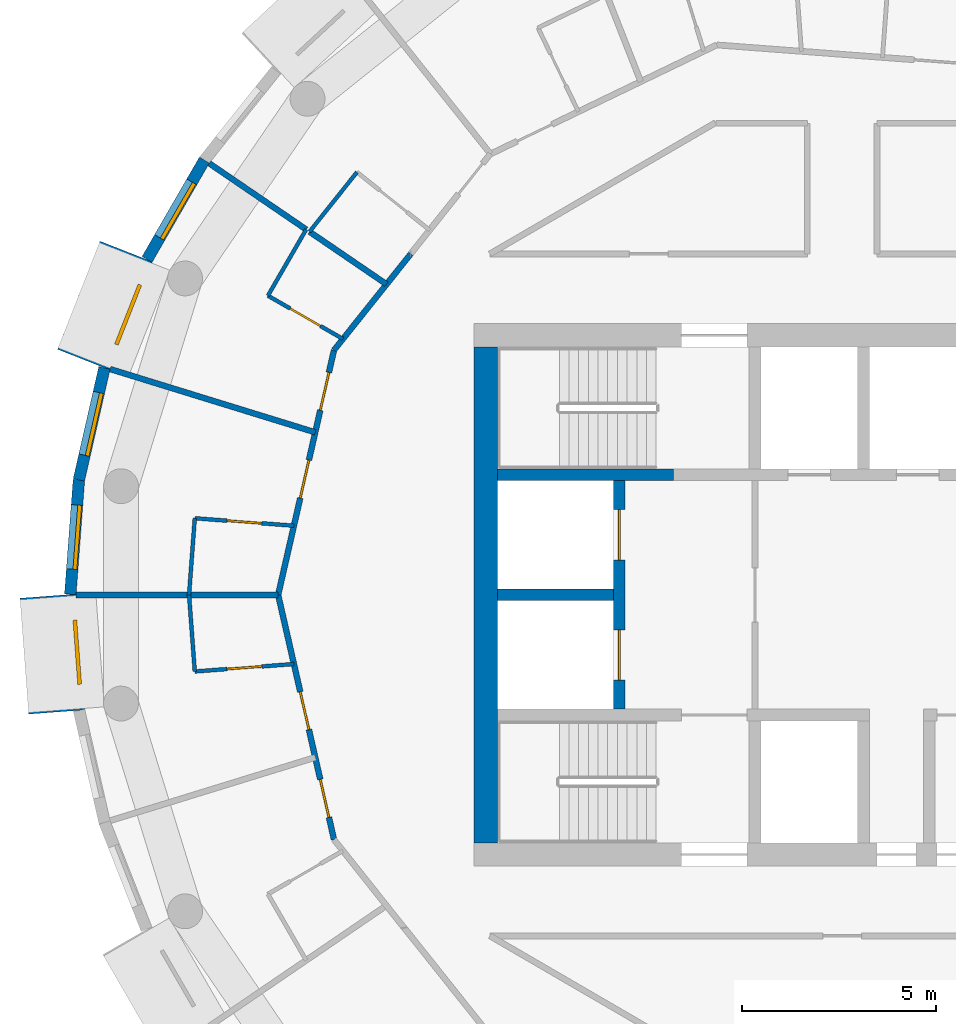
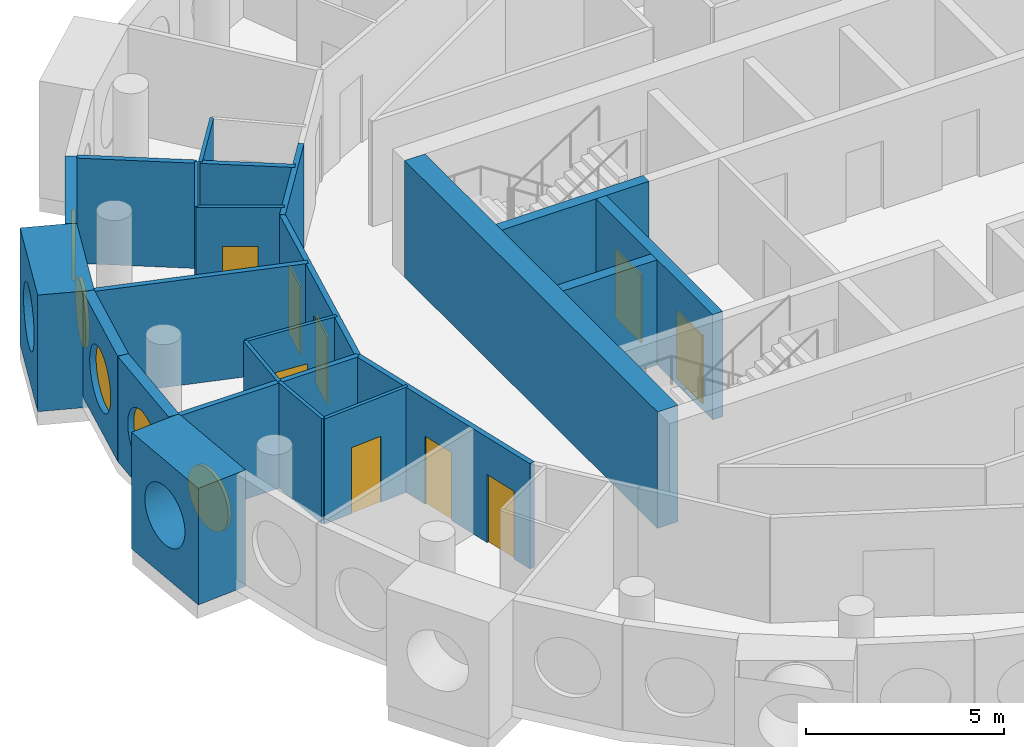
# One storey, part 6 of 13: 23 walls, 9 doors, 5 windows, 14 openings.
"""IFC4 building model written with IfcOpenShell, lengths in metres."""

from ifc_helpers import new_model, si_unit, direction, frame, frame_2d, origin, origin_2d, place, context, subcontext, project, spatial, rectangle, circle, extrude, material, layer, layer_set, type_object, element, fill, save


model = new_model("IFC4")

# Units and contexts
model_context = context("Model", 3, precision=1e-05, world=origin(), true_north=direction((0.0, 1.0)))
body_context = subcontext(model_context, "Body", "Model", "MODEL_VIEW")
ifc_project = project(units=[si_unit("LENGTHUNIT", "METRE"), si_unit("AREAUNIT", "SQUARE_METRE"), si_unit("VOLUMEUNIT", "CUBIC_METRE"), si_unit("PLANEANGLEUNIT", "RADIAN"), si_unit("MASSUNIT", "GRAM", prefix="KILO")], contexts=[model_context])

# Site, building, storey
site_placement = place(None, origin())
site = spatial("IfcSite", under=ifc_project, at=site_placement, CompositionType="ELEMENT")
building_placement = place(site_placement, origin())
building = spatial("IfcBuilding", under=site, at=building_placement, Name="Tracery Tower", CompositionType="ELEMENT")
storey_placement = place(building_placement, frame((0.0, 0.0, 309.0)))
storey = spatial("IfcBuildingStorey", under=building, at=storey_placement, Name="L80", CompositionType="ELEMENT", Elevation=309.0)

# Wall
ifc_material_1 = material(Name="Concrete C40/50", Category="concrete")
ifc_layer_1 = layer(ifc_material_1, 0.60009765625)
ifc_layer_set_1 = layer_set([ifc_layer_1], Name="Core wall 600 C40")
wall_type_1 = type_object("IfcWallType", Name="Core wall 600 C40", PredefinedType="SOLIDWALL", material=ifc_layer_set_1)
wall_1_placement = place(storey_placement, frame((-9.199951171875, -6.39990234375, 0.0), z_axis=(0.0, 0.0, 1.0), x_axis=(0.0, 1.0, 0.0)))
element("IfcWall", 1, at=wall_1_placement, inside=storey, type_object=wall_type_1, Name="L80 outer W", PredefinedType="SOLIDWALL", context=body_context, shape_type="SweptSolid", body=[
    extrude(rectangle(XDim=12.7998046875, YDim=0.60009765625, at=frame_2d((6.39990234375, 0.0))), origin(), (0.0, 0.0, 1.0), 3.60009765625),
])

# Wall, opening, window
ifc_material_2 = material(Name="Precast concrete C50/60", Category="concrete")
ifc_layer_2 = layer(ifc_material_2, 1.449951171875)
ifc_layer_set_2 = layer_set([ifc_layer_2], Name="Deep-set bay unit 3000 x 3600, slab edge 350")
wall_type_2 = type_object("IfcWallType", Name="Deep-set bay unit 3000 x 3600, slab edge 350", PredefinedType="ELEMENTEDWALL", material=ifc_layer_set_2)
wall_2_placement = place(storey_placement, frame((-18.47998046875, 8.8642578125, -0.35009765625), z_axis=(0.0, 0.0, 1.0), x_axis=(-0.36537792632, -0.93085926485, 0.0)))
wall_2 = element("IfcWall", 2, at=wall_2_placement, inside=storey, type_object=wall_type_2, Name="Deep-set bay unit 19 at L80", PredefinedType="ELEMENTEDWALL", context=body_context, shape_type="SweptSolid", body=[
    extrude(rectangle(XDim=3.000244140625, YDim=1.449951171875, at=frame_2d((1.5, 0.0))), origin(), (0.0, 0.0, 1.0), 3.60009765625),
])
opening_1_placement = place(wall_2_placement, frame((1.5, 0.0, 1.89990234375)))
opening_1 = element("IfcOpeningElement", 3, at=opening_1_placement, cuts=wall_2, Name="Opening WN1", PredefinedType="OPENING", context=body_context, shape_type="SweptSolid", body=[
    extrude(circle(Radius=0.9000244140625, at=origin_2d()), frame((0.0, 0.73486328125, 0.0), z_axis=(0.0, -1.0, 0.0), x_axis=(1.0, 0.0, 0.0)), (0.0, 0.0, 1.0), 1.469970703125),
])
ifc_material_3 = material(Name="Aluminium frame with tinted double glazing", Category="aluminium")
window_type = type_object("IfcWindowType", Name="Round window 1800", PartitioningType="SINGLE_PANEL", PredefinedType="WINDOW", material=ifc_material_3)
window_1_placement = place(opening_1_placement, origin())
window_1 = element("IfcWindow", 4, at=window_1_placement, inside=storey, type_object=window_type, Name="Round window 19 at L80", OverallHeight=1.800048828125, OverallWidth=1.800048828125, PartitioningType="SINGLE_PANEL", PredefinedType="WINDOW", context=body_context, shape_type="SweptSolid", body=[
    extrude(circle(Radius=0.9000244140625, at=origin_2d()), frame((0.0, 0.69482421875, 0.0), z_axis=(0.0, -1.0, 0.0), x_axis=(1.0, 0.0, 0.0)), (0.0, 0.0, 1.0), 0.10009765625),
])
fill(opening_1, window_1)

wall_3_placement = place(storey_placement, frame((-20.49609375, -0.03173828125, -0.35009765625), z_axis=(0.0, 0.0, 1.0), x_axis=(0.074785902127, -0.997199613339, 0.0)))
wall_3 = element("IfcWall", 5, at=wall_3_placement, inside=storey, type_object=wall_type_2, Name="Deep-set bay unit 22 at L80", PredefinedType="ELEMENTEDWALL", context=body_context, shape_type="SweptSolid", body=[
    extrude(rectangle(XDim=3.0, YDim=1.449951171875, at=frame_2d((1.5, 0.0))), origin(), (0.0, 0.0, 1.0), 3.60009765625),
])
opening_2_placement = place(wall_3_placement, frame((1.5, 0.0, 1.89990234375)))
opening_2 = element("IfcOpeningElement", 6, at=opening_2_placement, cuts=wall_3, Name="Opening WN1", PredefinedType="OPENING", context=body_context, shape_type="SweptSolid", body=[
    extrude(circle(Radius=0.9000244140625, at=origin_2d()), frame((0.0, 0.73486328125, 0.0), z_axis=(0.0, -1.0, 0.0), x_axis=(1.0, 0.0, 0.0)), (0.0, 0.0, 1.0), 1.469970703125),
])
window_2_placement = place(opening_2_placement, origin())
window_2 = element("IfcWindow", 7, at=window_2_placement, inside=storey, type_object=window_type, Name="Round window 22 at L80", OverallHeight=1.800048828125, OverallWidth=1.800048828125, PartitioningType="SINGLE_PANEL", PredefinedType="WINDOW", context=body_context, shape_type="SweptSolid", body=[
    extrude(circle(Radius=0.9000244140625, at=origin_2d()), frame((0.0, 0.69482421875, 0.0), z_axis=(0.0, -1.0, 0.0), x_axis=(1.0, 0.0, 0.0)), (0.0, 0.0, 1.0), 0.10009765625),
])
fill(opening_2, window_2)

ifc_material_4 = material(Name="Precast concrete C50/60", Category="concrete")
ifc_layer_3 = layer(ifc_material_4, 0.300048828125)
ifc_layer_set_3 = layer_set([ifc_layer_3], Name="Facade panel 3000 x 3250")
wall_type_3 = type_object("IfcWallType", Name="Facade panel 3000 x 3250", PredefinedType="SOLIDWALL", material=ifc_layer_set_3)
wall_4_placement = place(storey_placement, frame((-16.460205078125, 11.222412109375, 0.0), z_axis=(0.0, 0.0, 1.0), x_axis=(-0.499950756475, -0.86605383268, 0.0)))
wall_4 = element("IfcWall", 8, at=wall_4_placement, inside=storey, type_object=wall_type_3, Name="Facade panel 18 at L80", PredefinedType="SOLIDWALL", context=body_context, shape_type="SweptSolid", body=[
    extrude(rectangle(XDim=2.962158203125, YDim=0.300048828125, at=frame_2d((1.48095703125, 0.0))), origin(), (0.0, 0.0, 1.0), 3.25),
])
opening_3_placement = place(wall_4_placement, frame((1.48095703125, 0.0, 1.5498046875)))
opening_3 = element("IfcOpeningElement", 9, at=opening_3_placement, cuts=wall_4, Name="Opening WN1", PredefinedType="OPENING", context=body_context, shape_type="SweptSolid", body=[
    extrude(circle(Radius=0.9000244140625, at=origin_2d()), frame((0.0, 0.159912109375, 0.0), z_axis=(0.0, -1.0, 0.0), x_axis=(1.0, 0.0, 0.0)), (0.0, 0.0, 1.0), 0.320068359375),
])
window_3_placement = place(opening_3_placement, origin())
window_3 = element("IfcWindow", 10, at=window_3_placement, inside=storey, type_object=window_type, Name="Round window 18 at L80", OverallHeight=1.800048828125, OverallWidth=1.800048828125, PartitioningType="SINGLE_PANEL", PredefinedType="WINDOW", context=body_context, shape_type="SweptSolid", body=[
    extrude(circle(Radius=0.9000244140625, at=origin_2d()), frame((0.0, 0.1201171875, 0.0), z_axis=(0.0, -1.0, 0.0), x_axis=(1.0, 0.0, 0.0)), (0.0, 0.0, 1.0), 0.10009765625),
])
fill(opening_3, window_3)

wall_5_placement = place(storey_placement, frame((-19.0400390625, 5.857177734375, 0.0), z_axis=(0.0, 0.0, 1.0), x_axis=(-0.222529389789, -0.974925982155, 0.0)))
wall_5 = element("IfcWall", 11, at=wall_5_placement, inside=storey, type_object=wall_type_3, Name="Facade panel 20 at L80", PredefinedType="SOLIDWALL", context=body_context, shape_type="SweptSolid", body=[
    extrude(rectangle(XDim=2.962158203125, YDim=0.300048828125, at=frame_2d((1.48095703125, 0.0))), origin(), (0.0, 0.0, 1.0), 3.25),
])
opening_4_placement = place(wall_5_placement, frame((1.48095703125, 0.0, 1.5498046875)))
opening_4 = element("IfcOpeningElement", 12, at=opening_4_placement, cuts=wall_5, Name="Opening WN1", PredefinedType="OPENING", context=body_context, shape_type="SweptSolid", body=[
    extrude(circle(Radius=0.9000244140625, at=origin_2d()), frame((0.0, 0.159912109375, 0.0), z_axis=(0.0, -1.0, 0.0), x_axis=(1.0, 0.0, 0.0)), (0.0, 0.0, 1.0), 0.320068359375),
])
window_4_placement = place(opening_4_placement, origin())
window_4 = element("IfcWindow", 13, at=window_4_placement, inside=storey, type_object=window_type, Name="Round window 20 at L80", OverallHeight=1.800048828125, OverallWidth=1.800048828125, PartitioningType="SINGLE_PANEL", PredefinedType="WINDOW", context=body_context, shape_type="SweptSolid", body=[
    extrude(circle(Radius=0.9000244140625, at=origin_2d()), frame((0.0, 0.1201171875, 0.0), z_axis=(0.0, -1.0, 0.0), x_axis=(1.0, 0.0, 0.0)), (0.0, 0.0, 1.0), 0.10009765625),
])
fill(opening_4, window_4)

wall_6_placement = place(storey_placement, frame((-19.69921875, 2.96923828125, 0.0), z_axis=(0.0, 0.0, 1.0), x_axis=(-0.07474897196, -0.997202382263, 0.0)))
wall_6 = element("IfcWall", 14, at=wall_6_placement, inside=storey, type_object=wall_type_3, Name="Facade panel 21 at L80", PredefinedType="SOLIDWALL", context=body_context, shape_type="SweptSolid", body=[
    extrude(rectangle(XDim=2.96240234375, YDim=0.300048828125, at=frame_2d((1.481201171875, 0.0))), origin(), (0.0, 0.0, 1.0), 3.25),
])
opening_5_placement = place(wall_6_placement, frame((1.48095703125, 0.0, 1.5498046875)))
opening_5 = element("IfcOpeningElement", 15, at=opening_5_placement, cuts=wall_6, Name="Opening WN1", PredefinedType="OPENING", context=body_context, shape_type="SweptSolid", body=[
    extrude(circle(Radius=0.9000244140625, at=origin_2d()), frame((0.0, 0.159912109375, 0.0), z_axis=(0.0, -1.0, 0.0), x_axis=(1.0, 0.0, 0.0)), (0.0, 0.0, 1.0), 0.320068359375),
])
window_5_placement = place(opening_5_placement, origin())
window_5 = element("IfcWindow", 16, at=window_5_placement, inside=storey, type_object=window_type, Name="Round window 21 at L80", OverallHeight=1.800048828125, OverallWidth=1.800048828125, PartitioningType="SINGLE_PANEL", PredefinedType="WINDOW", context=body_context, shape_type="SweptSolid", body=[
    extrude(circle(Radius=0.9000244140625, at=origin_2d()), frame((0.0, 0.1201171875, 0.0), z_axis=(0.0, -1.0, 0.0), x_axis=(1.0, 0.0, 0.0)), (0.0, 0.0, 1.0), 0.10009765625),
])
fill(opening_5, window_5)

# Walls
ifc_material_5 = material(Name="Plasterboard on steel studs", Category="steel")
ifc_layer_4 = layer(ifc_material_5, 0.10009765625)
ifc_layer_set_4 = layer_set([ifc_layer_4], Name="Partition 100 wet wall")
wall_type_4 = type_object("IfcWallType", Name="Partition 100 wet wall", PredefinedType="PARTITIONING", material=ifc_layer_set_4)
wall_7_placement = place(storey_placement, frame((-13.7470703125, 9.373046875, 0.0), z_axis=(0.0, 0.0, 1.0), x_axis=(0.623330716607, 0.781958322249, 0.0)))
element("IfcWall", 17, at=wall_7_placement, inside=storey, type_object=wall_type_4, Name="Wet wall RC8-070", PredefinedType="PARTITIONING", context=body_context, shape_type="SweptSolid", body=[
    extrude(rectangle(XDim=1.96533203125, YDim=0.10009765625, at=frame_2d((0.982666015625, 0.0))), origin(), (0.0, 0.0, 1.0), 3.25),
])
wall_8_placement = place(storey_placement, frame((-14.820068359375, 7.721923828125, 0.0), z_axis=(0.0, 0.0, 1.0), x_axis=(0.500143626598, 0.865942465048, 0.0)))
element("IfcWall", 18, at=wall_8_placement, inside=storey, type_object=wall_type_4, Name="Wet wall RC8-073", PredefinedType="PARTITIONING", context=body_context, shape_type="SweptSolid", body=[
    extrude(rectangle(XDim=1.9736328125, YDim=0.10009765625, at=frame_2d((0.98681640625, 0.0))), origin(), (0.0, 0.0, 1.0), 3.25),
])

# Wall, opening, door
wall_9_placement = place(storey_placement, frame((-14.820068359375, 7.721923828125, 0.0), z_axis=(0.0, 0.0, 1.0), x_axis=(0.866076416361, -0.499911633214, 0.0)))
wall_9 = element("IfcWall", 19, at=wall_9_placement, inside=storey, type_object=wall_type_4, Name="Wet wall RC8-074", PredefinedType="PARTITIONING", context=body_context, shape_type="SweptSolid", body=[
    extrude(rectangle(XDim=2.234375, YDim=0.10009765625, at=frame_2d((1.1171875, 0.0))), origin(), (0.0, 0.0, 1.0), 3.25),
])
opening_6_placement = place(wall_9_placement, frame((0.6669921875, 0.0, 0.0)))
opening_6 = element("IfcOpeningElement", 20, at=opening_6_placement, cuts=wall_9, Name="Opening RC8-21", PredefinedType="OPENING", context=body_context, shape_type="SweptSolid", body=[
    extrude(rectangle(XDim=0.89990234375, YDim=2.0400390625, at=frame_2d((0.449951171875, 1.02001953125))), frame((0.0, 0.050048828125, 0.0), z_axis=(0.0, -1.0, 0.0), x_axis=(1.0, 0.0, 0.0)), (0.0, 0.0, 1.0), 0.10009765625),
])
ifc_material_6 = material(Name="Timber door leaf", Category="wood")
door_type_1 = type_object("IfcDoorType", Name="Door en-suite 900", OperationType="NOTDEFINED", PredefinedType="DOOR", material=ifc_material_6)
door_1_placement = place(opening_6_placement, origin())
door_1 = element("IfcDoor", 21, at=door_1_placement, inside=storey, type_object=door_type_1, Name="En-suite door RC8-21", OperationType="SINGLE_SWING_LEFT", OverallHeight=2.0400390625, OverallWidth=0.89990234375, PredefinedType="DOOR", context=body_context, shape_type="SweptSolid", body=[
    extrude(rectangle(XDim=0.89990234375, YDim=2.0400390625, at=frame_2d((0.449951171875, 1.02001953125))), frame((0.0, 0.02490234375, 0.0), z_axis=(0.0, -1.0, 0.0), x_axis=(1.0, 0.0, 0.0)), (0.0, 0.0, 1.0), 0.050048828125),
])
fill(opening_6, door_1)

wall_10_placement = place(storey_placement, frame((-16.7080078125, 1.97705078125, 0.0), z_axis=(0.0, 0.0, 1.0), x_axis=(0.997193275785, -0.074870359477, 0.0)))
wall_10 = element("IfcWall", 22, at=wall_10_placement, inside=storey, type_object=wall_type_4, Name="Wet wall RC8-076", PredefinedType="PARTITIONING", context=body_context, shape_type="SweptSolid", body=[
    extrude(rectangle(XDim=2.56640625, YDim=0.10009765625, at=frame_2d((1.283203125, 0.0))), origin(), (0.0, 0.0, 1.0), 3.25),
])
opening_7_placement = place(wall_10_placement, frame((0.833251953125, 0.0, 0.0)))
opening_7 = element("IfcOpeningElement", 23, at=opening_7_placement, cuts=wall_10, Name="Opening RC8-23", PredefinedType="OPENING", context=body_context, shape_type="SweptSolid", body=[
    extrude(rectangle(XDim=0.89990234375, YDim=2.0400390625, at=frame_2d((0.449951171875, 1.02001953125))), frame((0.0, 0.050048828125, 0.0), z_axis=(0.0, -1.0, 0.0), x_axis=(1.0, 0.0, 0.0)), (0.0, 0.0, 1.0), 0.10009765625),
])
door_2_placement = place(opening_7_placement, origin())
door_2 = element("IfcDoor", 24, at=door_2_placement, inside=storey, type_object=door_type_1, Name="En-suite door RC8-23", OperationType="SINGLE_SWING_LEFT", OverallHeight=2.0400390625, OverallWidth=0.89990234375, PredefinedType="DOOR", context=body_context, shape_type="SweptSolid", body=[
    extrude(rectangle(XDim=0.89990234375, YDim=2.0400390625, at=frame_2d((0.449951171875, 1.02001953125))), frame((0.0, 0.02490234375, 0.0), z_axis=(0.0, -1.0, 0.0), x_axis=(1.0, 0.0, 0.0)), (0.0, 0.0, 1.0), 0.050048828125),
])
fill(opening_7, door_2)

# Walls
for number, where, z_axis, x_axis, name in (
    (25, (-16.85595703125, 0.0, 0.0), (0.0, 0.0, 1.0), (0.074624634103, 0.997211694669, 0.0), "Wet wall RC8-077"),
    (26, (-16.85595703125, 0.0, 0.0), (0.0, 0.0, 1.0), (0.074624634103, -0.997211694669, 0.0), "Wet wall RC8-079"),
):
    element("IfcWall", number, at=place(storey_placement, frame(where, z_axis=z_axis, x_axis=x_axis)), inside=storey, type_object=wall_type_4, Name=name, PredefinedType="PARTITIONING", context=body_context, shape_type="SweptSolid", body=[
        extrude(rectangle(XDim=1.982666015625, YDim=0.10009765625, at=frame_2d((0.9912109375, 0.0))), origin(), (0.0, 0.0, 1.0), 3.25),
    ])

# Wall, opening, door
wall_11_placement = place(storey_placement, frame((-16.7080078125, -1.97705078125, 0.0), z_axis=(0.0, 0.0, 1.0), x_axis=(0.997193275785, 0.074870359477, 0.0)))
wall_11 = element("IfcWall", 27, at=wall_11_placement, inside=storey, type_object=wall_type_4, Name="Wet wall RC8-080", PredefinedType="PARTITIONING", context=body_context, shape_type="SweptSolid", body=[
    extrude(rectangle(XDim=2.56640625, YDim=0.10009765625, at=frame_2d((1.283203125, 0.0))), origin(), (0.0, 0.0, 1.0), 3.25),
])
opening_8_placement = place(wall_11_placement, frame((0.8330078125, 0.0, 0.0)))
opening_8 = element("IfcOpeningElement", 28, at=opening_8_placement, cuts=wall_11, Name="Opening RC8-25", PredefinedType="OPENING", context=body_context, shape_type="SweptSolid", body=[
    extrude(rectangle(XDim=0.89990234375, YDim=2.0400390625, at=frame_2d((0.449951171875, 1.02001953125))), frame((0.0, 0.050048828125, 0.0), z_axis=(0.0, -1.0, 0.0), x_axis=(1.0, 0.0, 0.0)), (0.0, 0.0, 1.0), 0.10009765625),
])
door_3_placement = place(opening_8_placement, origin())
door_3 = element("IfcDoor", 29, at=door_3_placement, inside=storey, type_object=door_type_1, Name="En-suite door RC8-25", OperationType="SINGLE_SWING_LEFT", OverallHeight=2.0400390625, OverallWidth=0.89990234375, PredefinedType="DOOR", context=body_context, shape_type="SweptSolid", body=[
    extrude(rectangle(XDim=0.89990234375, YDim=2.0400390625, at=frame_2d((0.449951171875, 1.02001953125))), frame((0.0, 0.02490234375, 0.0), z_axis=(0.0, -1.0, 0.0), x_axis=(1.0, 0.0, 0.0)), (0.0, 0.0, 1.0), 0.050048828125),
])
fill(opening_8, door_3)

# Walls
ifc_material_7 = material(Name="Plasterboard on steel studs", Category="steel")
ifc_layer_5 = layer(ifc_material_7, 0.14990234375)
ifc_layer_set_5 = layer_set([ifc_layer_5], Name="Partition 150 acoustic unit wall")
wall_type_5 = type_object("IfcWallType", Name="Partition 150 acoustic unit wall", PredefinedType="PARTITIONING", material=ifc_layer_set_5)
wall_12_placement = place(storey_placement, frame((-16.3359375, 11.137939453125, 0.0), z_axis=(0.0, 0.0, 1.0), x_axis=(0.826159220299, -0.563436724678, 0.0)))
element("IfcWall", 30, at=wall_12_placement, inside=storey, type_object=wall_type_5, Name="Unit wall RC8-071", PredefinedType="PARTITIONING", context=body_context, shape_type="SweptSolid", body=[
    extrude(rectangle(XDim=3.033203125, YDim=0.14990234375, at=frame_2d((1.5166015625, 0.0))), origin(), (0.0, 0.0, 1.0), 3.25),
])
wall_13_placement = place(storey_placement, frame((-13.7470703125, 9.373046875, 0.0), z_axis=(0.0, 0.0, 1.0), x_axis=(0.826135036312, -0.563472183677, 0.0)))
element("IfcWall", 31, at=wall_13_placement, inside=storey, type_object=wall_type_5, Name="Unit wall RC8-072", PredefinedType="PARTITIONING", context=body_context, shape_type="SweptSolid", body=[
    extrude(rectangle(XDim=2.406494140625, YDim=0.14990234375, at=frame_2d((1.203125, 0.0))), origin(), (0.0, 0.0, 1.0), 3.25),
])
wall_14_placement = place(storey_placement, frame((-18.89306640625, 5.827880859375, 0.0), z_axis=(0.0, 0.0, 1.0), x_axis=(0.955580602693, -0.294729896274, 0.0)))
element("IfcWall", 32, at=wall_14_placement, inside=storey, type_object=wall_type_5, Name="Unit wall RC8-075", PredefinedType="PARTITIONING", context=body_context, shape_type="SweptSolid", body=[
    extrude(rectangle(XDim=5.5400390625, YDim=0.14990234375, at=frame_2d((2.77001953125, 0.0))), origin(), (0.0, 0.0, 1.0), 3.25),
])
wall_15_placement = place(storey_placement, frame((-19.77099609375, 0.0, 0.0), z_axis=(0.0, 0.0, 1.0), x_axis=(1.0, 0.0, 0.0)))
element("IfcWall", 33, at=wall_15_placement, inside=storey, type_object=wall_type_5, Name="Unit wall RC8-078", PredefinedType="PARTITIONING", context=body_context, shape_type="SweptSolid", body=[
    extrude(rectangle(XDim=5.214111328125, YDim=0.14990234375, at=frame_2d((2.60693359375, 0.0))), origin(), (0.0, 0.0, 1.0), 3.25),
])
ifc_material_8 = material(Name="Plasterboard on steel studs", Category="steel")
ifc_layer_6 = layer(ifc_material_8, 0.14990234375)
ifc_layer_set_6 = layer_set([ifc_layer_6], Name="Partition 150 corridor wall")
wall_type_6 = type_object("IfcWallType", Name="Partition 150 corridor wall", PredefinedType="PARTITIONING", material=ifc_layer_set_6)
wall_16_placement = place(storey_placement, frame((-13.115234375, 6.316162109375, 0.0), z_axis=(0.0, 0.0, 1.0), x_axis=(0.623560523309, 0.781775078761, 0.0)))
element("IfcWall", 34, at=wall_16_placement, inside=storey, type_object=wall_type_6, Name="Corridor wall RC8-033", PredefinedType="PARTITIONING", context=body_context, shape_type="SweptSolid", body=[
    extrude(rectangle(XDim=3.17724609375, YDim=0.14990234375, at=frame_2d((1.588623046875, 0.0))), origin(), (0.0, 0.0, 1.0), 3.25),
])

# Wall, openings, doors
wall_17_placement = place(storey_placement, frame((-14.556640625, 0.0, 0.0), z_axis=(0.0, 0.0, 1.0), x_axis=(0.222533159771, 0.974925121639, 0.0)))
wall_17 = element("IfcWall", 35, at=wall_17_placement, inside=storey, type_object=wall_type_6, Name="Corridor wall RC8-034", PredefinedType="PARTITIONING", context=body_context, shape_type="SweptSolid", body=[
    extrude(rectangle(XDim=6.478271484375, YDim=0.14990234375, at=frame_2d((3.2392578125, 0.0))), origin(), (0.0, 0.0, 1.0), 3.25),
])
opening_9_placement = place(wall_17_placement, frame((4.888916015625, 0.0, 0.0)))
opening_9 = element("IfcOpeningElement", 36, at=opening_9_placement, cuts=wall_17, Name="Opening RC8-22", PredefinedType="OPENING", context=body_context, shape_type="SweptSolid", body=[
    extrude(rectangle(XDim=1.0, YDim=2.10009765625, at=frame_2d((0.5, 1.050048828125))), frame((0.0, 0.074951171875, 0.0), z_axis=(0.0, -1.0, 0.0), x_axis=(1.0, 0.0, 0.0)), (0.0, 0.0, 1.0), 0.14990234375),
])
opening_10_placement = place(wall_17_placement, frame((2.56689453125, 0.0, 0.0)))
opening_10 = element("IfcOpeningElement", 37, at=opening_10_placement, cuts=wall_17, Name="Opening RC8-24", PredefinedType="OPENING", context=body_context, shape_type="SweptSolid", body=[
    extrude(rectangle(XDim=1.0, YDim=2.10009765625, at=frame_2d((0.5, 1.050048828125))), frame((0.0, 0.074951171875, 0.0), z_axis=(0.0, -1.0, 0.0), x_axis=(1.0, 0.0, 0.0)), (0.0, 0.0, 1.0), 0.14990234375),
])
ifc_material_9 = material(Name="Timber door leaf", Category="wood")
door_type_2 = type_object("IfcDoorType", Name="Door unit entrance 1000", OperationType="NOTDEFINED", PredefinedType="DOOR", material=ifc_material_9)
door_4_placement = place(opening_9_placement, origin())
door_4 = element("IfcDoor", 38, at=door_4_placement, inside=storey, type_object=door_type_2, Name="Unit entrance door RC8-22", OperationType="SINGLE_SWING_RIGHT", OverallHeight=2.10009765625, OverallWidth=1.0, PredefinedType="DOOR", context=body_context, shape_type="SweptSolid", body=[
    extrude(rectangle(XDim=1.0, YDim=2.10009765625, at=frame_2d((0.5, 1.050048828125))), frame((0.0, 0.02490234375, 0.0), z_axis=(0.0, -1.0, 0.0), x_axis=(1.0, 0.0, 0.0)), (0.0, 0.0, 1.0), 0.050048828125),
])
fill(opening_9, door_4)
door_5_placement = place(opening_10_placement, origin())
door_5 = element("IfcDoor", 39, at=door_5_placement, inside=storey, type_object=door_type_2, Name="Unit entrance door RC8-24", OperationType="SINGLE_SWING_LEFT", OverallHeight=2.10009765625, OverallWidth=1.0, PredefinedType="DOOR", context=body_context, shape_type="SweptSolid", body=[
    extrude(rectangle(XDim=1.0, YDim=2.10009765625, at=frame_2d((0.5, 1.050048828125))), frame((0.0, 0.02490234375, 0.0), z_axis=(0.0, -1.0, 0.0), x_axis=(1.0, 0.0, 0.0)), (0.0, 0.0, 1.0), 0.050048828125),
])
fill(opening_10, door_5)

wall_18_placement = place(storey_placement, frame((-14.556640625, 0.0, 0.0), z_axis=(0.0, 0.0, 1.0), x_axis=(0.222568978642, -0.97491694505, 0.0)))
wall_18 = element("IfcWall", 40, at=wall_18_placement, inside=storey, type_object=wall_type_6, Name="Corridor wall RC8-035", PredefinedType="PARTITIONING", context=body_context, shape_type="SweptSolid", body=[
    extrude(rectangle(XDim=6.478515625, YDim=0.14990234375, at=frame_2d((3.2392578125, 0.0))), origin(), (0.0, 0.0, 1.0), 3.25),
])
opening_11_placement = place(wall_18_placement, frame((2.567138671875, 0.0, 0.0)))
opening_11 = element("IfcOpeningElement", 41, at=opening_11_placement, cuts=wall_18, Name="Opening RC8-26", PredefinedType="OPENING", context=body_context, shape_type="SweptSolid", body=[
    extrude(rectangle(XDim=1.0, YDim=2.10009765625, at=frame_2d((0.5, 1.050048828125))), frame((0.0, 0.074951171875, 0.0), z_axis=(0.0, -1.0, 0.0), x_axis=(1.0, 0.0, 0.0)), (0.0, 0.0, 1.0), 0.14990234375),
])
opening_12_placement = place(wall_18_placement, frame((4.888427734375, 0.0, 0.0)))
opening_12 = element("IfcOpeningElement", 42, at=opening_12_placement, cuts=wall_18, Name="Opening RC8-28", PredefinedType="OPENING", context=body_context, shape_type="SweptSolid", body=[
    extrude(rectangle(XDim=1.0, YDim=2.10009765625, at=frame_2d((0.5, 1.050048828125))), frame((0.0, 0.074951171875, 0.0), z_axis=(0.0, -1.0, 0.0), x_axis=(1.0, 0.0, 0.0)), (0.0, 0.0, 1.0), 0.14990234375),
])
door_6_placement = place(opening_11_placement, origin())
door_6 = element("IfcDoor", 43, at=door_6_placement, inside=storey, type_object=door_type_2, Name="Unit entrance door RC8-26", OperationType="SINGLE_SWING_LEFT", OverallHeight=2.10009765625, OverallWidth=1.0, PredefinedType="DOOR", context=body_context, shape_type="SweptSolid", body=[
    extrude(rectangle(XDim=1.0, YDim=2.10009765625, at=frame_2d((0.5, 1.050048828125))), frame((0.0, 0.02490234375, 0.0), z_axis=(0.0, -1.0, 0.0), x_axis=(1.0, 0.0, 0.0)), (0.0, 0.0, 1.0), 0.050048828125),
])
fill(opening_11, door_6)
door_7_placement = place(opening_12_placement, origin())
door_7 = element("IfcDoor", 44, at=door_7_placement, inside=storey, type_object=door_type_2, Name="Unit entrance door RC8-28", OperationType="SINGLE_SWING_RIGHT", OverallHeight=2.10009765625, OverallWidth=1.0, PredefinedType="DOOR", context=body_context, shape_type="SweptSolid", body=[
    extrude(rectangle(XDim=1.0, YDim=2.10009765625, at=frame_2d((0.5, 1.050048828125))), frame((0.0, 0.02490234375, 0.0), z_axis=(0.0, -1.0, 0.0), x_axis=(1.0, 0.0, 0.0)), (0.0, 0.0, 1.0), 0.050048828125),
])
fill(opening_12, door_7)

# Wall
ifc_material_10 = material(Name="Concrete C40/50", Category="concrete")
ifc_layer_7 = layer(ifc_material_10, 0.300048828125)
ifc_layer_set_7 = layer_set([ifc_layer_7], Name="Shaft wall 300 C40")
wall_type_7 = type_object("IfcWallType", Name="Shaft wall 300 C40", PredefinedType="SOLIDWALL", material=ifc_layer_set_7)
wall_19_placement = place(storey_placement, frame((-8.89990234375, 0.0, 0.0), z_axis=(0.0, 0.0, 1.0), x_axis=(1.0, 0.0, 0.0)))
element("IfcWall", 45, at=wall_19_placement, inside=storey, type_object=wall_type_7, Name="L80 FF split", PredefinedType="SOLIDWALL", context=body_context, shape_type="SweptSolid", body=[
    extrude(rectangle(XDim=3.0, YDim=0.300048828125, at=frame_2d((1.5, 0.0))), origin(), (0.0, 0.0, 1.0), 3.25),
])

# Wall, openings, doors
wall_20_placement = place(storey_placement, frame((-5.75, -2.949951171875, 0.0), z_axis=(0.0, 0.0, 1.0), x_axis=(0.0, 1.0, 0.0)))
wall_20 = element("IfcWall", 46, at=wall_20_placement, inside=storey, type_object=wall_type_7, Name="L80 FF doors", PredefinedType="SOLIDWALL", context=body_context, shape_type="SweptSolid", body=[
    extrude(rectangle(XDim=5.89990234375, YDim=0.300048828125, at=frame_2d((2.949951171875, 0.0))), origin(), (0.0, 0.0, 1.0), 3.25),
])
opening_13_placement = place(wall_20_placement, frame((0.75, 0.0, 0.0)))
opening_13 = element("IfcOpeningElement", 47, at=opening_13_placement, cuts=wall_20, Name="Opening KD54", PredefinedType="OPENING", context=body_context, shape_type="SweptSolid", body=[
    extrude(rectangle(XDim=1.300048828125, YDim=2.10009765625, at=frame_2d((0.64990234375, 1.050048828125))), frame((0.0, 0.14990234375, 0.0), z_axis=(0.0, -1.0, 0.0), x_axis=(1.0, 0.0, 0.0)), (0.0, 0.0, 1.0), 0.300048828125),
])
opening_14_placement = place(wall_20_placement, frame((3.85009765625, 0.0, 0.0)))
opening_14 = element("IfcOpeningElement", 48, at=opening_14_placement, cuts=wall_20, Name="Opening KD55", PredefinedType="OPENING", context=body_context, shape_type="SweptSolid", body=[
    extrude(rectangle(XDim=1.300048828125, YDim=2.10009765625, at=frame_2d((0.64990234375, 1.050048828125))), frame((0.0, 0.14990234375, 0.0), z_axis=(0.0, -1.0, 0.0), x_axis=(1.0, 0.0, 0.0)), (0.0, 0.0, 1.0), 0.300048828125),
])
ifc_material_11 = material(Name="Steel fire door", Category="steel")
door_type_3 = type_object("IfcDoorType", Name="Landing door FF 1300", OperationType="NOTDEFINED", PredefinedType="DOOR", material=ifc_material_11)
door_8_placement = place(opening_13_placement, origin())
door_8 = element("IfcDoor", 49, at=door_8_placement, inside=storey, type_object=door_type_3, Name="Landing door FF1", OperationType="SLIDING_TO_LEFT", OverallHeight=2.10009765625, OverallWidth=1.300048828125, PredefinedType="DOOR", context=body_context, shape_type="SweptSolid", body=[
    extrude(rectangle(XDim=1.300048828125, YDim=2.10009765625, at=frame_2d((0.64990234375, 1.050048828125))), frame((0.0, 0.02490234375, 0.0), z_axis=(0.0, -1.0, 0.0), x_axis=(1.0, 0.0, 0.0)), (0.0, 0.0, 1.0), 0.050048828125),
])
fill(opening_13, door_8)
door_9_placement = place(opening_14_placement, origin())
door_9 = element("IfcDoor", 50, at=door_9_placement, inside=storey, type_object=door_type_3, Name="Landing door FF2", OperationType="SLIDING_TO_RIGHT", OverallHeight=2.10009765625, OverallWidth=1.300048828125, PredefinedType="DOOR", context=body_context, shape_type="SweptSolid", body=[
    extrude(rectangle(XDim=1.300048828125, YDim=2.10009765625, at=frame_2d((0.64990234375, 1.050048828125))), frame((0.0, 0.02490234375, 0.0), z_axis=(0.0, -1.0, 0.0), x_axis=(1.0, 0.0, 0.0)), (0.0, 0.0, 1.0), 0.050048828125),
])
fill(opening_14, door_9)

# Wall
ifc_material_12 = material(Name="Concrete C40/50", Category="concrete")
ifc_layer_8 = layer(ifc_material_12, 0.300048828125)
ifc_layer_set_8 = layer_set([ifc_layer_8], Name="Stair wall 300 C40")
wall_type_8 = type_object("IfcWallType", Name="Stair wall 300 C40", PredefinedType="SOLIDWALL", material=ifc_layer_set_8)
wall_21_placement = place(storey_placement, frame((-8.89990234375, 3.10009765625, 0.0), z_axis=(0.0, 0.0, 1.0), x_axis=(1.0, 0.0, 0.0)))
element("IfcWall", 51, at=wall_21_placement, inside=storey, type_object=wall_type_8, Name="L80 row N W", PredefinedType="SOLIDWALL", context=body_context, shape_type="SweptSolid", body=[
    extrude(rectangle(XDim=4.5498046875, YDim=0.300048828125, at=frame_2d((2.27490234375, 0.0))), origin(), (0.0, 0.0, 1.0), 3.25),
])

save(model, "model.ifc")
